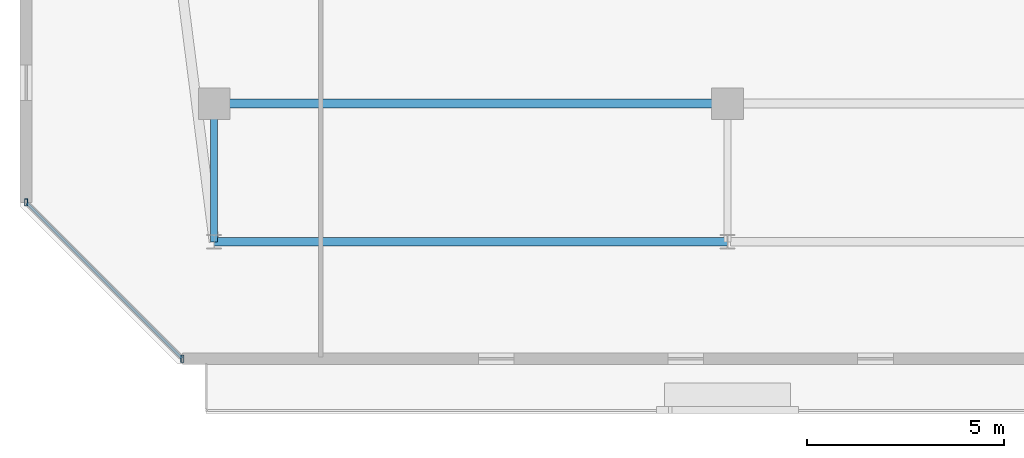
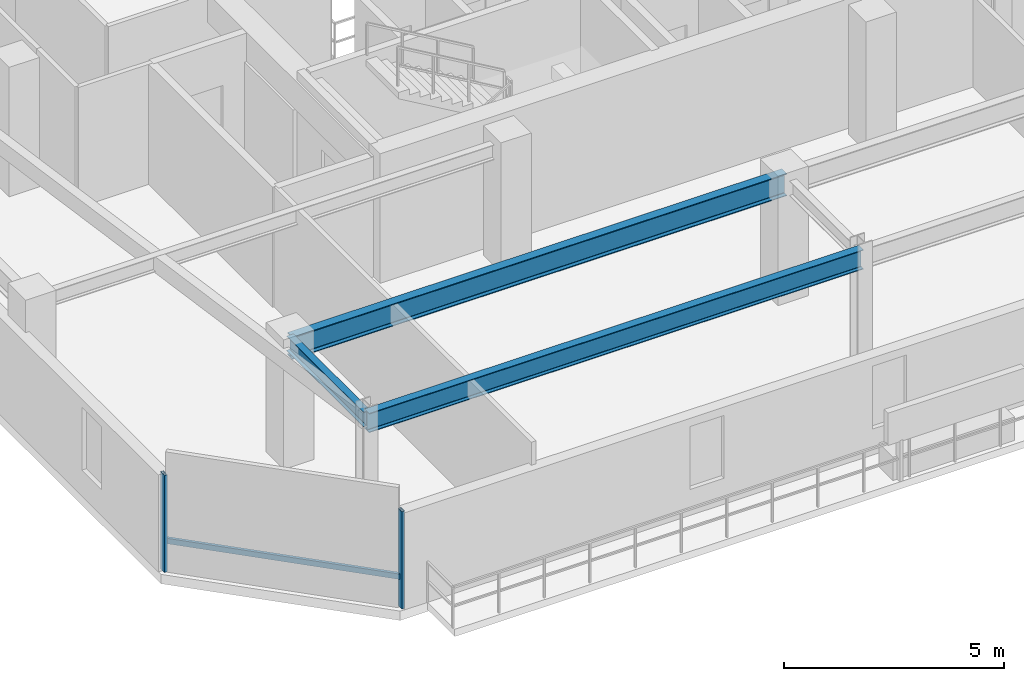
# One storey, part 5 of 34: 3 beams, 3 members, 1 element without a shape of its own.
"""IFC4 building model written with IfcOpenShell, lengths in metres."""

from ifc_helpers import new_model, si_unit, direction, frame, origin, origin_2d, place, context, subcontext, project, spatial, hollow_rectangle, i_section, extrude, material, material_profile, profile_set, type_object, element, aggregate, save


model = new_model("IFC4")

# Units and contexts
model_context = context("Model", 3, precision=1e-05, world=origin(), true_north=direction((0.0, 1.0)))
body_context = subcontext(model_context, "Body", "Model", "MODEL_VIEW")
ifc_project = project(units=[si_unit("LENGTHUNIT", "METRE"), si_unit("AREAUNIT", "SQUARE_METRE"), si_unit("VOLUMEUNIT", "CUBIC_METRE"), si_unit("PLANEANGLEUNIT", "RADIAN"), si_unit("MASSUNIT", "GRAM", prefix="KILO")], contexts=[model_context])

# Site, building, storey
site_placement = place(None, origin())
site = spatial("IfcSite", under=ifc_project, at=site_placement, CompositionType="ELEMENT")
building_placement = place(site_placement, origin())
building = spatial("IfcBuilding", under=site, at=building_placement, Name="Thornwick Lancets Civic Towers", CompositionType="ELEMENT")
storey_placement = place(building_placement, frame((0.0, 0.0, 258.300048828125)))
storey = spatial("IfcBuildingStorey", under=building, at=storey_placement, Name="L69", CompositionType="ELEMENT", Elevation=258.300048828125)

# Beams
ifc_material_1 = material(Name="Steel S355JR", Category="steel")
ifc_material_profile_1 = material_profile(ifc_material_1, i_section(OverallWidth=0.210693359375, OverallDepth=0.53955078125, WebThickness=0.01171875, FlangeThickness=0.018798828125, FilletRadius=0.0126953125, at=origin_2d()), Name="UKB 533x210x109")
ifc_profile_set_1 = profile_set([ifc_material_profile_1], Name="Steel S355JR")
beam_type_1 = type_object("IfcBeamType", Name="BM_EDGE_533_109", PredefinedType="SPANDREL", material=ifc_profile_set_1)
beam_1_placement = place(storey_placement, frame((12.5, 6.199951171875, 3.09033203125), z_axis=(1.0, 0.0, 0.0), x_axis=(0.0, 1.0, 0.0)))
element("IfcBeam", 1, at=beam_1_placement, inside=storey, type_object=beam_type_1, Name="BM-EDGE-L69-A-S0-1", PredefinedType="SPANDREL", context=body_context, shape_type="SweptSolid", body=[
    extrude(i_section(OverallWidth=0.210693359375, OverallDepth=0.53955078125, WebThickness=0.01171875, FlangeThickness=0.018798828125, FilletRadius=0.0126953125, at=origin_2d()), origin(), (0.0, 0.0, 1.0), 13.0),
])
ifc_material_profile_2 = material_profile(ifc_material_1, i_section(OverallWidth=0.230224609375, OverallDepth=0.6171875, WebThickness=0.01318359375, FlangeThickness=0.022216796875, FilletRadius=0.0126953125, at=origin_2d()), Name="UKB 610x229x140")
ifc_profile_set_2 = profile_set([ifc_material_profile_2], Name="Steel S355JR")
beam_type_2 = type_object("IfcBeamType", Name="BM_GIRD_610_140", PredefinedType="BEAM", material=ifc_profile_set_2)
beam_2_placement = place(storey_placement, frame((12.5, 9.699951171875, 3.05126953125), z_axis=(1.0, 0.0, 0.0), x_axis=(0.0, 1.0, 0.0)))
element("IfcBeam", 2, at=beam_2_placement, inside=storey, type_object=beam_type_2, Name="BM-SPINE-L69-A-0-1", PredefinedType="BEAM", context=body_context, shape_type="SweptSolid", body=[
    extrude(i_section(OverallWidth=0.230224609375, OverallDepth=0.6171875, WebThickness=0.01318359375, FlangeThickness=0.022216796875, FilletRadius=0.0126953125, at=origin_2d()), origin(), (0.0, 0.0, 1.0), 13.0),
])
ifc_material_profile_3 = material_profile(ifc_material_1, i_section(OverallWidth=0.179443359375, OverallDepth=0.412841796875, WebThickness=0.009521484375, FlangeThickness=0.01611328125, FilletRadius=0.01025390625, at=origin_2d()), Name="UKB 406x178x74")
ifc_profile_set_3 = profile_set([ifc_material_profile_3], Name="Steel S355JR")
beam_type_3 = type_object("IfcBeamType", Name="BM_JOIST_406_74", PredefinedType="JOIST", material=ifc_profile_set_3)
beam_3_placement = place(storey_placement, frame((12.5, 9.699951171875, 3.153564453125), z_axis=(0.0, -1.0, 0.0), x_axis=(1.0, 0.0, 0.0)))
element("IfcBeam", 3, at=beam_3_placement, inside=storey, type_object=beam_type_3, Name="BM-RAD-L69-A01", PredefinedType="JOIST", context=body_context, shape_type="SweptSolid", body=[
    extrude(i_section(OverallWidth=0.179443359375, OverallDepth=0.412841796875, WebThickness=0.009521484375, FlangeThickness=0.01611328125, FilletRadius=0.01025390625, at=origin_2d()), origin(), (0.0, 0.0, 1.0), 3.5),
])

# Curtain wall, members
ifc_material_2 = material(Name="High-zone chamfered-corner unitised glass curtain wall", Category="glass")
curtain_wall_type = type_object("IfcCurtainWallType", Name="CW_SYS_05", PredefinedType="NOTDEFINED", material=ifc_material_2)
curtain_wall_placement = place(storey_placement, origin())
curtain_wall = element("IfcCurtainWall", 4, at=curtain_wall_placement, inside=storey, type_object=curtain_wall_type, Name="L69 Curtain Wall CW-L69-A-E7", PredefinedType="NOTDEFINED")
ifc_material_3 = material(Name="Thermally broken bronze aluminium S355", Category="steel")
ifc_material_profile_4 = material_profile(ifc_material_3, hollow_rectangle(XDim=0.074951171875, YDim=0.179931640625, WallThickness=0.006103515625, at=origin_2d()), Name="RHS 180x75x6")
ifc_profile_set_4 = profile_set([ifc_material_profile_4], Name="Thermally broken bronze aluminium S355")
member_type_1 = type_object("IfcMemberType", Name="CW_MUL_180", PredefinedType="MULLION", material=ifc_profile_set_4)
member_1_placement = place(storey_placement, frame((7.739990234375, 7.1982421875, 0.0), z_axis=(0.0, 0.0, 1.0), x_axis=(1.0, 0.0, 0.0)))
member_1 = element("IfcMember", 5, at=member_1_placement, type_object=member_type_1, Name="CW-L69-A-E7 Mullion 0", PredefinedType="MULLION", context=body_context, shape_type="SweptSolid", body=[
    extrude(hollow_rectangle(XDim=0.074951171875, YDim=0.179931640625, WallThickness=0.006103515625, at=origin_2d()), origin(), (0.0, 0.0, 1.0), 2.699951171875),
])
member_2_placement = place(storey_placement, frame((11.6982421875, 3.239990234375, 0.0), z_axis=(0.0, 0.0, 1.0), x_axis=(1.0, 0.0, 0.0)))
member_2 = element("IfcMember", 6, at=member_2_placement, type_object=member_type_1, Name="CW-L69-A-E7 Mullion 1", PredefinedType="MULLION", context=body_context, shape_type="SweptSolid", body=[
    extrude(hollow_rectangle(XDim=0.074951171875, YDim=0.179931640625, WallThickness=0.006103515625, at=origin_2d()), origin(), (0.0, 0.0, 1.0), 2.699951171875),
])
ifc_material_profile_5 = material_profile(ifc_material_3, hollow_rectangle(XDim=0.074951171875, YDim=0.14990234375, WallThickness=0.0048828125, at=origin_2d()), Name="RHS 150x75x5")
ifc_profile_set_5 = profile_set([ifc_material_profile_5], Name="Thermally broken bronze aluminium S355")
member_type_2 = type_object("IfcMemberType", Name="CW_TRN_150", PredefinedType="USERDEFINED", material=ifc_profile_set_5)
member_3_placement = place(storey_placement, frame((7.75390625, 7.18408203125, 0.849853515625), z_axis=(0.707106781187, -0.707106781187, 0.0), x_axis=(0.707106781187, 0.707106781187, 0.0)))
member_3 = element("IfcMember", 7, at=member_3_placement, type_object=member_type_2, Name="CW-L69-A-E7 Transom 0", ObjectType="TRANSOM", PredefinedType="USERDEFINED", context=body_context, shape_type="SweptSolid", body=[
    extrude(hollow_rectangle(XDim=0.074951171875, YDim=0.14990234375, WallThickness=0.0048828125, at=origin_2d()), origin(), (0.0, 0.0, 1.0), 5.55810546875),
])
aggregate(curtain_wall, [member_1, member_2, member_3])

save(model, "model.ifc")
